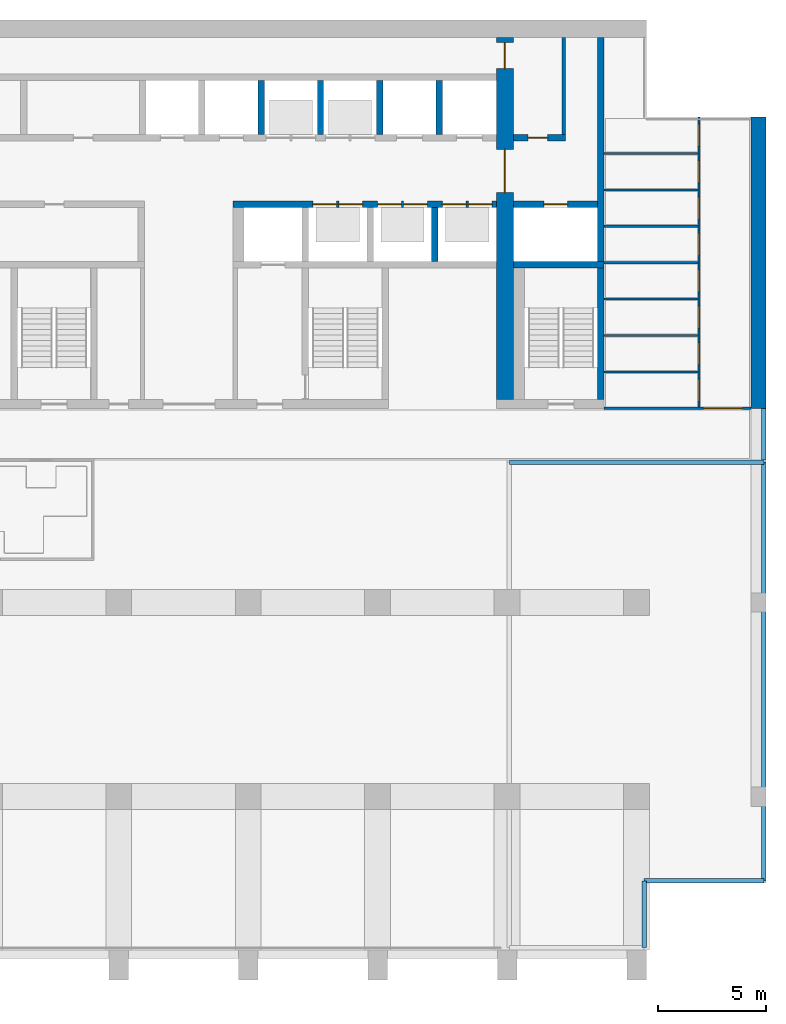
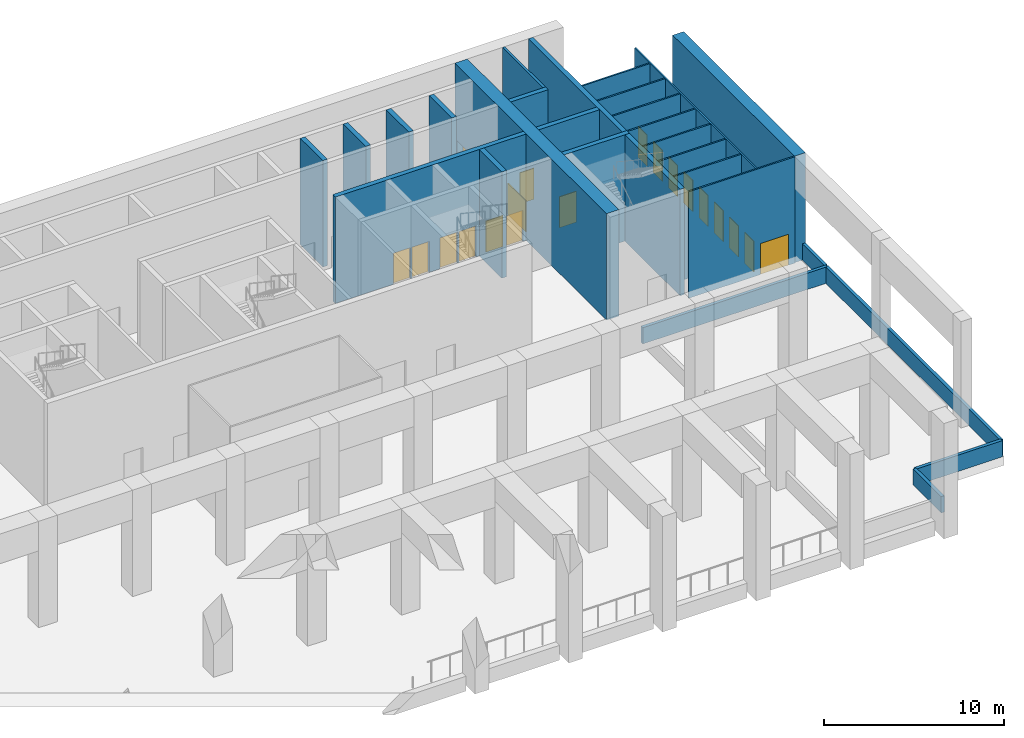
# One storey, part 5 of 10: 28 walls, 19 doors, 19 openings.
"""IFC4 building model written with IfcOpenShell, lengths in metres."""

from ifc_helpers import new_model, si_unit, direction, frame, frame_2d, origin, place, context, subcontext, project, spatial, rectangle, extrude, material, layer, layer_set, type_object, element, fill, save


model = new_model("IFC4")

# Units and contexts
model_context = context("Model", 3, precision=1e-05, world=origin(), true_north=direction((0.0, 1.0)))
body_context = subcontext(model_context, "Body", "Model", "MODEL_VIEW")
ifc_project = project(units=[si_unit("LENGTHUNIT", "METRE"), si_unit("AREAUNIT", "SQUARE_METRE"), si_unit("VOLUMEUNIT", "CUBIC_METRE"), si_unit("PLANEANGLEUNIT", "RADIAN"), si_unit("MASSUNIT", "GRAM", prefix="KILO")], contexts=[model_context])

# Site, building, storey
site_placement = place(None, origin())
site = spatial("IfcSite", under=ifc_project, at=site_placement, CompositionType="ELEMENT")
building_placement = place(site_placement, origin())
building = spatial("IfcBuilding", under=site, at=building_placement, Name="Calvaro Tower", CompositionType="ELEMENT")
storey_placement = place(building_placement, frame((0.0, 0.0, 158.75)))
storey = spatial("IfcBuildingStorey", under=building, at=storey_placement, Name="L40", CompositionType="ELEMENT", Elevation=158.75)

# Wall
ifc_material_1 = material(Name="Blockwork partition", Category="masonry")
ifc_layer_1 = layer(ifc_material_1, 0.14990234375)
ifc_layer_set_1 = layer_set([ifc_layer_1], Name="Blockwork partition")
wall_type_1 = type_object("IfcWallType", Name="Core partition 150 REI 120", PredefinedType="PARTITIONING", material=ifc_layer_set_1)
wall_1_placement = place(storey_placement, frame((62.625, 40.699951171875, 0.0), z_axis=(0.0, 0.0, 1.0), x_axis=(0.0, 1.0, 0.0)))
element("IfcWall", 1, at=wall_1_placement, inside=storey, type_object=wall_type_1, Name="Core partition", PredefinedType="PARTITIONING", context=body_context, shape_type="SweptSolid", body=[
    extrude(rectangle(XDim=4.5, YDim=0.14990234375, at=frame_2d((2.25, 0.0))), origin(), (0.0, 0.0, 1.0), 7.199951171875),
])

# Wall, opening, door
ifc_material_2 = material(Name="Blockwork partition", Category="masonry")
ifc_layer_2 = layer(ifc_material_2, 0.300048828125)
ifc_layer_set_2 = layer_set([ifc_layer_2], Name="Blockwork partition")
wall_type_2 = type_object("IfcWallType", Name="Core partition 300 REI 120", PredefinedType="PARTITIONING", material=ifc_layer_set_2)
wall_2_placement = place(storey_placement, frame((60.300048828125, 40.550048828125, 0.0), z_axis=(0.0, 0.0, 1.0), x_axis=(1.0, 0.0, 0.0)))
wall_2 = element("IfcWall", 2, at=wall_2_placement, inside=storey, type_object=wall_type_2, Name="Core partition", PredefinedType="PARTITIONING", context=body_context, shape_type="SweptSolid", body=[
    extrude(rectangle(XDim=2.39990234375, YDim=0.300048828125, at=frame_2d((1.199951171875, 0.0))), origin(), (0.0, 0.0, 1.0), 7.199951171875),
])
opening_1_placement = place(wall_2_placement, frame((0.675048828125, 0.0, 0.0)))
opening_1 = element("IfcOpeningElement", 3, at=opening_1_placement, cuts=wall_2, Name="Opening RD9E", PredefinedType="OPENING", context=body_context, shape_type="SweptSolid", body=[
    extrude(rectangle(XDim=0.89990234375, YDim=2.10009765625, at=frame_2d((0.449951171875, 1.050048828125))), frame((0.0, 0.159912109375, 0.0), z_axis=(0.0, -1.0, 0.0), x_axis=(1.0, 0.0, 0.0)), (0.0, 0.0, 1.0), 0.320068359375),
])
ifc_material_3 = material(Name="Steel door set", Category="steel")
door_type_1 = type_object("IfcDoorType", Name="Room door 900 FD60", OperationType="SINGLE_SWING_LEFT", PredefinedType="DOOR", material=ifc_material_3)
door_1_placement = place(opening_1_placement, origin())
door_1 = element("IfcDoor", 4, at=door_1_placement, inside=storey, type_object=door_type_1, Name="Room door", OperationType="SINGLE_SWING_LEFT", OverallHeight=2.10009765625, OverallWidth=0.89990234375, PredefinedType="DOOR", context=body_context, shape_type="SweptSolid", body=[
    extrude(rectangle(XDim=0.89990234375, YDim=2.10009765625, at=frame_2d((0.449951171875, 1.050048828125))), frame((0.0, 0.02490234375, 0.0), z_axis=(0.0, -1.0, 0.0), x_axis=(1.0, 0.0, 0.0)), (0.0, 0.0, 1.0), 0.050048828125),
])
fill(opening_1, door_1)

# Walls
ifc_material_4 = material(Name="Concrete C60/75", Category="concrete")
ifc_layer_3 = layer(ifc_material_4, 0.300048828125)
ifc_layer_set_3 = layer_set([ifc_layer_3], Name="Concrete C60/75")
wall_type_3 = type_object("IfcWallType", Name="Core wall C60/75 300", PredefinedType="SHEAR", material=ifc_layer_set_3)
wall_3_placement = place(storey_placement, frame((64.35009765625, 34.800048828125, 0.0), z_axis=(0.0, 0.0, 1.0), x_axis=(0.0, 1.0, 0.0)))
element("IfcWall", 5, at=wall_3_placement, inside=storey, type_object=wall_type_3, Name="Core wall, boundary", PredefinedType="SHEAR", context=body_context, shape_type="SweptSolid", body=[
    extrude(rectangle(XDim=10.39990234375, YDim=0.300048828125, at=frame_2d((5.199951171875, 0.0))), origin(), (0.0, 0.0, 1.0), 7.199951171875),
])
wall_4_placement = place(storey_placement, frame((64.35009765625, 28.39990234375, 0.0), z_axis=(0.0, 0.0, 1.0), x_axis=(0.0, 1.0, 0.0)))
element("IfcWall", 6, at=wall_4_placement, inside=storey, type_object=wall_type_3, Name="Core wall, stair enclosure", PredefinedType="SHEAR", context=body_context, shape_type="SweptSolid", body=[
    extrude(rectangle(XDim=6.10009765625, YDim=0.300048828125, at=frame_2d((3.050048828125, 0.0))), origin(), (0.0, 0.0, 1.0), 7.199951171875),
])
wall_5_placement = place(storey_placement, frame((60.300048828125, 34.64990234375, 0.0), z_axis=(0.0, 0.0, 1.0), x_axis=(1.0, 0.0, 0.0)))
element("IfcWall", 7, at=wall_5_placement, inside=storey, type_object=wall_type_3, Name="Core wall, lift shaft", PredefinedType="SHEAR", context=body_context, shape_type="SweptSolid", body=[
    extrude(rectangle(XDim=4.199951171875, YDim=0.300048828125, at=frame_2d((2.10009765625, 0.0))), origin(), (0.0, 0.0, 1.0), 7.199951171875),
])

# Wall, openings, doors
wall_6_placement = place(storey_placement, frame((47.300048828125, 37.449951171875, 0.0), z_axis=(0.0, 0.0, 1.0), x_axis=(1.0, 0.0, 0.0)))
wall_6 = element("IfcWall", 8, at=wall_6_placement, inside=storey, type_object=wall_type_3, Name="Core wall, lift shaft", PredefinedType="SHEAR", context=body_context, shape_type="SweptSolid", body=[
    extrude(rectangle(XDim=12.199951171875, YDim=0.300048828125, at=frame_2d((6.10009765625, 0.0))), origin(), (0.0, 0.0, 1.0), 7.199951171875),
])
opening_2_placement = place(wall_6_placement, frame((3.699951171875, 0.0, 0.0)))
opening_2 = element("IfcOpeningElement", 9, at=opening_2_placement, cuts=wall_6, Name="Opening MR1", PredefinedType="OPENING", context=body_context, shape_type="SweptSolid", body=[
    extrude(rectangle(XDim=1.10009765625, YDim=2.10009765625, at=frame_2d((0.550048828125, 1.050048828125))), frame((0.0, 0.159912109375, 0.0), z_axis=(0.0, -1.0, 0.0), x_axis=(1.0, 0.0, 0.0)), (0.0, 0.0, 1.0), 0.320068359375),
])
opening_3_placement = place(wall_6_placement, frame((4.89990234375, 0.0, 0.0)))
opening_3 = element("IfcOpeningElement", 10, at=opening_3_placement, cuts=wall_6, Name="Opening HR1", PredefinedType="OPENING", context=body_context, shape_type="SweptSolid", body=[
    extrude(rectangle(XDim=1.10009765625, YDim=2.10009765625, at=frame_2d((0.550048828125, 1.050048828125))), frame((0.0, 0.159912109375, 0.0), z_axis=(0.0, -1.0, 0.0), x_axis=(1.0, 0.0, 0.0)), (0.0, 0.0, 1.0), 0.320068359375),
])
opening_4_placement = place(wall_6_placement, frame((6.699951171875, 0.0, 0.0)))
opening_4 = element("IfcOpeningElement", 11, at=opening_4_placement, cuts=wall_6, Name="Opening MR2", PredefinedType="OPENING", context=body_context, shape_type="SweptSolid", body=[
    extrude(rectangle(XDim=1.10009765625, YDim=2.10009765625, at=frame_2d((0.550048828125, 1.050048828125))), frame((0.0, 0.159912109375, 0.0), z_axis=(0.0, -1.0, 0.0), x_axis=(1.0, 0.0, 0.0)), (0.0, 0.0, 1.0), 0.320068359375),
])
opening_5_placement = place(wall_6_placement, frame((7.89990234375, 0.0, 0.0)))
opening_5 = element("IfcOpeningElement", 12, at=opening_5_placement, cuts=wall_6, Name="Opening HR2", PredefinedType="OPENING", context=body_context, shape_type="SweptSolid", body=[
    extrude(rectangle(XDim=1.10009765625, YDim=2.10009765625, at=frame_2d((0.550048828125, 1.050048828125))), frame((0.0, 0.159912109375, 0.0), z_axis=(0.0, -1.0, 0.0), x_axis=(1.0, 0.0, 0.0)), (0.0, 0.0, 1.0), 0.320068359375),
])
opening_6_placement = place(wall_6_placement, frame((9.699951171875, 0.0, 0.0)))
opening_6 = element("IfcOpeningElement", 13, at=opening_6_placement, cuts=wall_6, Name="Opening MR3", PredefinedType="OPENING", context=body_context, shape_type="SweptSolid", body=[
    extrude(rectangle(XDim=1.10009765625, YDim=2.10009765625, at=frame_2d((0.550048828125, 1.050048828125))), frame((0.0, 0.159912109375, 0.0), z_axis=(0.0, -1.0, 0.0), x_axis=(1.0, 0.0, 0.0)), (0.0, 0.0, 1.0), 0.320068359375),
])
opening_7_placement = place(wall_6_placement, frame((10.89990234375, 0.0, 0.0)))
opening_7 = element("IfcOpeningElement", 14, at=opening_7_placement, cuts=wall_6, Name="Opening HR3", PredefinedType="OPENING", context=body_context, shape_type="SweptSolid", body=[
    extrude(rectangle(XDim=1.10009765625, YDim=2.10009765625, at=frame_2d((0.550048828125, 1.050048828125))), frame((0.0, 0.159912109375, 0.0), z_axis=(0.0, -1.0, 0.0), x_axis=(1.0, 0.0, 0.0)), (0.0, 0.0, 1.0), 0.320068359375),
])
ifc_material_5 = material(Name="Stainless steel", Category="steel")
door_type_2 = type_object("IfcDoorType", Name="Landing door 1100 E 60", OperationType="SLIDING_TO_LEFT", PredefinedType="DOOR", material=ifc_material_5)
door_2_placement = place(opening_2_placement, origin())
door_2 = element("IfcDoor", 15, at=door_2_placement, inside=storey, type_object=door_type_2, Name="Landing door MR1", OperationType="SLIDING_TO_LEFT", OverallHeight=2.10009765625, OverallWidth=1.10009765625, PredefinedType="DOOR", context=body_context, shape_type="SweptSolid", body=[
    extrude(rectangle(XDim=1.10009765625, YDim=2.10009765625, at=frame_2d((0.550048828125, 1.050048828125))), frame((0.0, 0.02490234375, 0.0), z_axis=(0.0, -1.0, 0.0), x_axis=(1.0, 0.0, 0.0)), (0.0, 0.0, 1.0), 0.050048828125),
])
fill(opening_2, door_2)
door_3_placement = place(opening_3_placement, origin())
door_3 = element("IfcDoor", 16, at=door_3_placement, inside=storey, type_object=door_type_2, Name="Landing door HR1", OperationType="SLIDING_TO_LEFT", OverallHeight=2.10009765625, OverallWidth=1.10009765625, PredefinedType="DOOR", context=body_context, shape_type="SweptSolid", body=[
    extrude(rectangle(XDim=1.10009765625, YDim=2.10009765625, at=frame_2d((0.550048828125, 1.050048828125))), frame((0.0, 0.02490234375, 0.0), z_axis=(0.0, -1.0, 0.0), x_axis=(1.0, 0.0, 0.0)), (0.0, 0.0, 1.0), 0.050048828125),
])
fill(opening_3, door_3)
door_4_placement = place(opening_4_placement, origin())
door_4 = element("IfcDoor", 17, at=door_4_placement, inside=storey, type_object=door_type_2, Name="Landing door MR2", OperationType="SLIDING_TO_LEFT", OverallHeight=2.10009765625, OverallWidth=1.10009765625, PredefinedType="DOOR", context=body_context, shape_type="SweptSolid", body=[
    extrude(rectangle(XDim=1.10009765625, YDim=2.10009765625, at=frame_2d((0.550048828125, 1.050048828125))), frame((0.0, 0.02490234375, 0.0), z_axis=(0.0, -1.0, 0.0), x_axis=(1.0, 0.0, 0.0)), (0.0, 0.0, 1.0), 0.050048828125),
])
fill(opening_4, door_4)
door_5_placement = place(opening_5_placement, origin())
door_5 = element("IfcDoor", 18, at=door_5_placement, inside=storey, type_object=door_type_2, Name="Landing door HR2", OperationType="SLIDING_TO_LEFT", OverallHeight=2.10009765625, OverallWidth=1.10009765625, PredefinedType="DOOR", context=body_context, shape_type="SweptSolid", body=[
    extrude(rectangle(XDim=1.10009765625, YDim=2.10009765625, at=frame_2d((0.550048828125, 1.050048828125))), frame((0.0, 0.02490234375, 0.0), z_axis=(0.0, -1.0, 0.0), x_axis=(1.0, 0.0, 0.0)), (0.0, 0.0, 1.0), 0.050048828125),
])
fill(opening_5, door_5)
door_6_placement = place(opening_6_placement, origin())
door_6 = element("IfcDoor", 19, at=door_6_placement, inside=storey, type_object=door_type_2, Name="Landing door MR3", OperationType="SLIDING_TO_LEFT", OverallHeight=2.10009765625, OverallWidth=1.10009765625, PredefinedType="DOOR", context=body_context, shape_type="SweptSolid", body=[
    extrude(rectangle(XDim=1.10009765625, YDim=2.10009765625, at=frame_2d((0.550048828125, 1.050048828125))), frame((0.0, 0.02490234375, 0.0), z_axis=(0.0, -1.0, 0.0), x_axis=(1.0, 0.0, 0.0)), (0.0, 0.0, 1.0), 0.050048828125),
])
fill(opening_6, door_6)
door_7_placement = place(opening_7_placement, origin())
door_7 = element("IfcDoor", 20, at=door_7_placement, inside=storey, type_object=door_type_2, Name="Landing door HR3", OperationType="SLIDING_TO_LEFT", OverallHeight=2.10009765625, OverallWidth=1.10009765625, PredefinedType="DOOR", context=body_context, shape_type="SweptSolid", body=[
    extrude(rectangle(XDim=1.10009765625, YDim=2.10009765625, at=frame_2d((0.550048828125, 1.050048828125))), frame((0.0, 0.02490234375, 0.0), z_axis=(0.0, -1.0, 0.0), x_axis=(1.0, 0.0, 0.0)), (0.0, 0.0, 1.0), 0.050048828125),
])
fill(opening_7, door_7)

# Wall, opening, door
wall_7_placement = place(storey_placement, frame((60.300048828125, 37.449951171875, 0.0), z_axis=(0.0, 0.0, 1.0), x_axis=(1.0, 0.0, 0.0)))
wall_7 = element("IfcWall", 21, at=wall_7_placement, inside=storey, type_object=wall_type_3, Name="Core wall, lift shaft", PredefinedType="SHEAR", context=body_context, shape_type="SweptSolid", body=[
    extrude(rectangle(XDim=3.89990234375, YDim=0.300048828125, at=frame_2d((1.949951171875, 0.0))), origin(), (0.0, 0.0, 1.0), 7.199951171875),
])
opening_8_placement = place(wall_7_placement, frame((1.39990234375, 0.0, 0.0)))
opening_8 = element("IfcOpeningElement", 22, at=opening_8_placement, cuts=wall_7, Name="Opening FF3", PredefinedType="OPENING", context=body_context, shape_type="SweptSolid", body=[
    extrude(rectangle(XDim=1.10009765625, YDim=2.10009765625, at=frame_2d((0.550048828125, 1.050048828125))), frame((0.0, 0.159912109375, 0.0), z_axis=(0.0, -1.0, 0.0), x_axis=(1.0, 0.0, 0.0)), (0.0, 0.0, 1.0), 0.320068359375),
])
door_8_placement = place(opening_8_placement, origin())
door_8 = element("IfcDoor", 23, at=door_8_placement, inside=storey, type_object=door_type_2, Name="Landing door FF3", OperationType="SLIDING_TO_LEFT", OverallHeight=2.10009765625, OverallWidth=1.10009765625, PredefinedType="DOOR", context=body_context, shape_type="SweptSolid", body=[
    extrude(rectangle(XDim=1.10009765625, YDim=2.10009765625, at=frame_2d((0.550048828125, 1.050048828125))), frame((0.0, 0.02490234375, 0.0), z_axis=(0.0, -1.0, 0.0), x_axis=(1.0, 0.0, 0.0)), (0.0, 0.0, 1.0), 0.050048828125),
])
fill(opening_8, door_8)

# Walls
for number, where, z_axis, x_axis, name in (
    (24, (56.64990234375, 34.800048828125, 0.0), (0.0, 0.0, 1.0), (0.0, 1.0, 0.0), "Core wall, lift shaft"),
    (25, (48.60009765625, 40.699951171875, 0.0), (0.0, 0.0, 1.0), (0.0, 1.0, 0.0), "Core wall, lift shaft"),
    (26, (51.35009765625, 40.699951171875, 0.0), (0.0, 0.0, 1.0), (0.0, 1.0, 0.0), "Core wall, lift shaft"),
    (27, (54.10009765625, 40.699951171875, 0.0), (0.0, 0.0, 1.0), (0.0, 1.0, 0.0), "Core wall, lift shaft"),
    (28, (56.85009765625, 40.699951171875, 0.0), (0.0, 0.0, 1.0), (0.0, 1.0, 0.0), "Core wall, lift shaft"),
):
    element("IfcWall", number, at=place(storey_placement, frame(where, z_axis=z_axis, x_axis=x_axis)), inside=storey, type_object=wall_type_3, Name=name, PredefinedType="SHEAR", context=body_context, shape_type="SweptSolid", body=[
        extrude(rectangle(XDim=2.5, YDim=0.300048828125, at=frame_2d((1.25, 0.0))), origin(), (0.0, 0.0, 1.0), 7.199951171875),
    ])

# Wall, openings, doors
ifc_material_6 = material(Name="Concrete C60/75", Category="concrete")
ifc_layer_4 = layer(ifc_material_6, 0.800048828125)
ifc_layer_set_4 = layer_set([ifc_layer_4], Name="Concrete C60/75")
wall_type_4 = type_object("IfcWallType", Name="Core wall C60/75 800", PredefinedType="SHEAR", material=ifc_layer_set_4)
wall_8_placement = place(storey_placement, frame((59.89990234375, 28.39990234375, 0.0), z_axis=(0.0, 0.0, 1.0), x_axis=(0.0, 1.0, 0.0)))
wall_8 = element("IfcWall", 29, at=wall_8_placement, inside=storey, type_object=wall_type_4, Name="Core wall, cross shear wall", PredefinedType="SHEAR", context=body_context, shape_type="SweptSolid", body=[
    extrude(rectangle(XDim=16.800048828125, YDim=0.800048828125, at=frame_2d((8.39990234375, 0.0))), origin(), (0.0, 0.0, 1.0), 7.199951171875),
])
opening_9_placement = place(wall_8_placement, frame((9.60009765625, 0.0, 0.0)))
opening_9 = element("IfcOpeningElement", 30, at=opening_9_placement, cuts=wall_8, Name="Opening DD20D", PredefinedType="OPENING", context=body_context, shape_type="SweptSolid", body=[
    extrude(rectangle(XDim=2.0, YDim=2.10009765625, at=frame_2d((1.0, 1.050048828125))), frame((0.0, 0.409912109375, 0.0), z_axis=(0.0, -1.0, 0.0), x_axis=(1.0, 0.0, 0.0)), (0.0, 0.0, 1.0), 0.820068359375),
])
opening_10_placement = place(wall_8_placement, frame((15.35009765625, 0.0, 0.0)))
opening_10 = element("IfcOpeningElement", 31, at=opening_10_placement, cuts=wall_8, Name="Opening FD12C", PredefinedType="OPENING", context=body_context, shape_type="SweptSolid", body=[
    extrude(rectangle(XDim=1.199951171875, YDim=2.10009765625, at=frame_2d((0.60009765625, 1.050048828125))), frame((0.0, 0.409912109375, 0.0), z_axis=(0.0, -1.0, 0.0), x_axis=(1.0, 0.0, 0.0)), (0.0, 0.0, 1.0), 0.820068359375),
])
ifc_material_7 = material(Name="Steel door set", Category="steel")
door_type_3 = type_object("IfcDoorType", Name="Fire door 1200 FD30", OperationType="SINGLE_SWING_LEFT", PredefinedType="DOOR", material=ifc_material_7)
door_9_placement = place(opening_10_placement, origin())
door_9 = element("IfcDoor", 32, at=door_9_placement, inside=storey, type_object=door_type_3, Name="Fire door", OperationType="SINGLE_SWING_LEFT", OverallHeight=2.10009765625, OverallWidth=1.199951171875, PredefinedType="DOOR", context=body_context, shape_type="SweptSolid", body=[
    extrude(rectangle(XDim=1.199951171875, YDim=2.10009765625, at=frame_2d((0.60009765625, 1.050048828125))), frame((0.0, 0.02490234375, 0.0), z_axis=(0.0, -1.0, 0.0), x_axis=(1.0, 0.0, 0.0)), (0.0, 0.0, 1.0), 0.050048828125),
])
fill(opening_10, door_9)
ifc_material_8 = material(Name="Steel door set", Category="steel")
door_type_4 = type_object("IfcDoorType", Name="Lobby double door 2000 FD30S", OperationType="DOUBLE_DOOR_SINGLE_SWING", PredefinedType="DOOR", material=ifc_material_8)
door_10_placement = place(opening_9_placement, origin())
door_10 = element("IfcDoor", 33, at=door_10_placement, inside=storey, type_object=door_type_4, Name="Lobby double door", OperationType="DOUBLE_DOOR_SINGLE_SWING", OverallHeight=2.10009765625, OverallWidth=2.0, PredefinedType="DOOR", context=body_context, shape_type="SweptSolid", body=[
    extrude(rectangle(XDim=2.0, YDim=2.10009765625, at=frame_2d((1.0, 1.050048828125))), frame((0.0, 0.02490234375, 0.0), z_axis=(0.0, -1.0, 0.0), x_axis=(1.0, 0.0, 0.0)), (0.0, 0.0, 1.0), 0.050048828125),
])
fill(opening_9, door_10)

# Walls
ifc_material_9 = material(Name="Concrete C60/75", Category="concrete")
ifc_layer_5 = layer(ifc_material_9, 0.699951171875)
ifc_layer_set_5 = layer_set([ifc_layer_5], Name="Concrete C60/75")
wall_type_5 = type_object("IfcWallType", Name="End wall 700 C60/75", PredefinedType="SHEAR", material=ifc_layer_set_5)
wall_9_placement = place(storey_placement, frame((71.64990234375, 28.0, 0.0), z_axis=(0.0, 0.0, 1.0), x_axis=(0.0, 1.0, 0.0)))
element("IfcWall", 34, at=wall_9_placement, inside=storey, type_object=wall_type_5, Name="End shear wall", PredefinedType="SHEAR", context=body_context, shape_type="SweptSolid", body=[
    extrude(rectangle(XDim=13.5, YDim=0.699951171875, at=frame_2d((6.75, 0.0))), origin(), (0.0, 0.0, 1.0), 7.199951171875),
])
ifc_material_10 = material(Name="Plasterboard on steel studs", Category="steel")
ifc_layer_6 = layer(ifc_material_10, 0.199951171875)
ifc_layer_set_6 = layer_set([ifc_layer_6], Name="Plasterboard on steel studs")
wall_type_6 = type_object("IfcWallType", Name="External partition 200", PredefinedType="PARTITIONING", material=ifc_layer_set_6)
wall_10_placement = place(storey_placement, frame((71.89990234375, 25.5, 0.0), z_axis=(0.0, 0.0, 1.0), x_axis=(0.0, -1.0, 0.0)))
element("IfcWall", 35, at=wall_10_placement, inside=storey, type_object=wall_type_6, Name="Roof parapet 07", PredefinedType="PARTITIONING", context=body_context, shape_type="SweptSolid", body=[
    extrude(rectangle(XDim=19.39990234375, YDim=0.199951171875, at=frame_2d((9.699951171875, 0.0))), origin(), (0.0, 0.0, 1.0), 1.10009765625),
])
wall_11_placement = place(storey_placement, frame((71.89990234375, 6.10009765625, 0.0), z_axis=(0.0, 0.0, 1.0), x_axis=(-1.0, 0.0, 0.0)))
element("IfcWall", 36, at=wall_11_placement, inside=storey, type_object=wall_type_6, Name="Roof parapet 08", PredefinedType="PARTITIONING", context=body_context, shape_type="SweptSolid", body=[
    extrude(rectangle(XDim=5.5498046875, YDim=0.199951171875, at=frame_2d((2.77490234375, 0.0))), origin(), (0.0, 0.0, 1.0), 1.10009765625),
])
wall_12_placement = place(storey_placement, frame((66.35009765625, 6.10009765625, 0.0), z_axis=(0.0, 0.0, 1.0), x_axis=(0.0, -1.0, 0.0)))
element("IfcWall", 37, at=wall_12_placement, inside=storey, type_object=wall_type_6, Name="Roof parapet 09", PredefinedType="PARTITIONING", context=body_context, shape_type="SweptSolid", body=[
    extrude(rectangle(XDim=3.10009765625, YDim=0.199951171875, at=frame_2d((1.550048828125, 0.0))), origin(), (0.0, 0.0, 1.0), 1.10009765625),
])
wall_13_placement = place(storey_placement, frame((60.10009765625, 25.5, 0.0), z_axis=(0.0, 0.0, 1.0), x_axis=(1.0, 0.0, 0.0)))
element("IfcWall", 38, at=wall_13_placement, inside=storey, type_object=wall_type_6, Name="Roof parapet 12", PredefinedType="PARTITIONING", context=body_context, shape_type="SweptSolid", body=[
    extrude(rectangle(XDim=11.7998046875, YDim=0.199951171875, at=frame_2d((5.89990234375, 0.0))), origin(), (0.0, 0.0, 1.0), 1.10009765625),
])
wall_14_placement = place(storey_placement, frame((71.89990234375, 25.60009765625, 0.0), z_axis=(0.0, 0.0, 1.0), x_axis=(0.0, 1.0, 0.0)))
element("IfcWall", 39, at=wall_14_placement, inside=storey, type_object=wall_type_6, Name="Roof parapet 14", PredefinedType="PARTITIONING", context=body_context, shape_type="SweptSolid", body=[
    extrude(rectangle(XDim=2.39990234375, YDim=0.199951171875, at=frame_2d((1.199951171875, 0.0))), origin(), (0.0, 0.0, 1.0), 1.10009765625),
])

# Wall, opening, door
ifc_material_11 = material(Name="Plasterboard on steel studs", Category="steel")
ifc_layer_7 = layer(ifc_material_11, 0.10009765625)
ifc_layer_set_7 = layer_set([ifc_layer_7], Name="Plasterboard on steel studs")
wall_type_7 = type_object("IfcWallType", Name="Partition 100 REI 120", PredefinedType="PARTITIONING", material=ifc_layer_set_7)
wall_15_placement = place(storey_placement, frame((64.5, 28.0, 0.0), z_axis=(0.0, 0.0, 1.0), x_axis=(1.0, 0.0, 0.0)))
wall_15 = element("IfcWall", 40, at=wall_15_placement, inside=storey, type_object=wall_type_7, Name="Partition T24.W004", PredefinedType="PARTITIONING", context=body_context, shape_type="SweptSolid", body=[
    extrude(rectangle(XDim=6.800048828125, YDim=0.10009765625, at=frame_2d((3.39990234375, 0.0))), origin(), (0.0, 0.0, 1.0), 7.199951171875),
])
opening_11_placement = place(wall_15_placement, frame((4.60009765625, 0.0, 0.0)))
opening_11 = element("IfcOpeningElement", 41, at=opening_11_placement, cuts=wall_15, Name="Opening T24.002", PredefinedType="OPENING", context=body_context, shape_type="SweptSolid", body=[
    extrude(rectangle(XDim=1.800048828125, YDim=2.10009765625, at=frame_2d((0.89990234375, 1.050048828125))), frame((0.0, 0.06005859375, 0.0), z_axis=(0.0, -1.0, 0.0), x_axis=(1.0, 0.0, 0.0)), (0.0, 0.0, 1.0), 0.1201171875),
])
ifc_material_12 = material(Name="Timber", Category="wood")
door_type_5 = type_object("IfcDoorType", Name="Internal double door 1800 x 2100", OperationType="DOUBLE_DOOR_SINGLE_SWING", PredefinedType="DOOR", material=ifc_material_12)
door_11_placement = place(opening_11_placement, origin())
door_11 = element("IfcDoor", 42, at=door_11_placement, inside=storey, type_object=door_type_5, Name="Door T24.002", OperationType="DOUBLE_DOOR_SINGLE_SWING", OverallHeight=2.10009765625, OverallWidth=1.800048828125, PredefinedType="DOOR", context=body_context, shape_type="SweptSolid", body=[
    extrude(rectangle(XDim=1.800048828125, YDim=2.10009765625, at=frame_2d((0.89990234375, 1.050048828125))), frame((0.0, 0.02490234375, 0.0), z_axis=(0.0, -1.0, 0.0), x_axis=(1.0, 0.0, 0.0)), (0.0, 0.0, 1.0), 0.050048828125),
])
fill(opening_11, door_11)

# Walls
for number, where, z_axis, x_axis, name in (
    (43, (64.5, 29.68994140625, 0.0), (0.0, 0.0, 1.0), (1.0, 0.0, 0.0), "Partition T24.W005"),
    (44, (64.5, 31.3798828125, 0.0), (0.0, 0.0, 1.0), (1.0, 0.0, 0.0), "Partition T24.W007"),
    (45, (64.5, 33.06005859375, 0.0), (0.0, 0.0, 1.0), (1.0, 0.0, 0.0), "Partition T24.W008"),
    (46, (64.5, 34.75, 0.0), (0.0, 0.0, 1.0), (1.0, 0.0, 0.0), "Partition T24.W010"),
    (47, (64.5, 36.43994140625, 0.0), (0.0, 0.0, 1.0), (1.0, 0.0, 0.0), "Partition T24.W011"),
    (48, (64.5, 38.1201171875, 0.0), (0.0, 0.0, 1.0), (1.0, 0.0, 0.0), "Partition T24.W013"),
    (49, (64.5, 39.81005859375, 0.0), (0.0, 0.0, 1.0), (1.0, 0.0, 0.0), "Partition T24.W014"),
):
    element("IfcWall", number, at=place(storey_placement, frame(where, z_axis=z_axis, x_axis=x_axis)), inside=storey, type_object=wall_type_7, Name=name, PredefinedType="PARTITIONING", context=body_context, shape_type="SweptSolid", body=[
        extrude(rectangle(XDim=4.35009765625, YDim=0.10009765625, at=frame_2d((2.175048828125, 0.0))), origin(), (0.0, 0.0, 1.0), 7.199951171875),
    ])

# Wall, openings, doors
wall_16_placement = place(storey_placement, frame((68.89990234375, 28.050048828125, 0.0), z_axis=(0.0, 0.0, 1.0), x_axis=(0.0, 1.0, 0.0)))
wall_16 = element("IfcWall", 50, at=wall_16_placement, inside=storey, type_object=wall_type_7, Name="Partition T24.W018", PredefinedType="PARTITIONING", context=body_context, shape_type="SweptSolid", body=[
    extrude(rectangle(XDim=13.449951171875, YDim=0.10009765625, at=frame_2d((6.72509765625, 0.0))), origin(), (0.0, 0.0, 1.0), 7.199951171875),
])
opening_12_placement = place(wall_16_placement, frame((0.294921875, 0.0, 0.0)))
opening_12 = element("IfcOpeningElement", 51, at=opening_12_placement, cuts=wall_16, Name="Opening T24.006", PredefinedType="OPENING", context=body_context, shape_type="SweptSolid", body=[
    extrude(rectangle(XDim=1.0, YDim=2.10009765625, at=frame_2d((0.5, 1.050048828125))), frame((0.0, 0.06005859375, 0.0), z_axis=(0.0, -1.0, 0.0), x_axis=(1.0, 0.0, 0.0)), (0.0, 0.0, 1.0), 0.1201171875),
])
opening_13_placement = place(wall_16_placement, frame((1.985107421875, 0.0, 0.0)))
opening_13 = element("IfcOpeningElement", 52, at=opening_13_placement, cuts=wall_16, Name="Opening T24.008", PredefinedType="OPENING", context=body_context, shape_type="SweptSolid", body=[
    extrude(rectangle(XDim=1.0, YDim=2.10009765625, at=frame_2d((0.5, 1.050048828125))), frame((0.0, 0.06005859375, 0.0), z_axis=(0.0, -1.0, 0.0), x_axis=(1.0, 0.0, 0.0)), (0.0, 0.0, 1.0), 0.1201171875),
])
opening_14_placement = place(wall_16_placement, frame((3.669921875, 0.0, 0.0)))
opening_14 = element("IfcOpeningElement", 53, at=opening_14_placement, cuts=wall_16, Name="Opening T24.009", PredefinedType="OPENING", context=body_context, shape_type="SweptSolid", body=[
    extrude(rectangle(XDim=1.0, YDim=2.10009765625, at=frame_2d((0.5, 1.050048828125))), frame((0.0, 0.06005859375, 0.0), z_axis=(0.0, -1.0, 0.0), x_axis=(1.0, 0.0, 0.0)), (0.0, 0.0, 1.0), 0.1201171875),
])
opening_15_placement = place(wall_16_placement, frame((5.35498046875, 0.0, 0.0)))
opening_15 = element("IfcOpeningElement", 54, at=opening_15_placement, cuts=wall_16, Name="Opening T24.011", PredefinedType="OPENING", context=body_context, shape_type="SweptSolid", body=[
    extrude(rectangle(XDim=1.0, YDim=2.10009765625, at=frame_2d((0.5, 1.050048828125))), frame((0.0, 0.06005859375, 0.0), z_axis=(0.0, -1.0, 0.0), x_axis=(1.0, 0.0, 0.0)), (0.0, 0.0, 1.0), 0.1201171875),
])
opening_16_placement = place(wall_16_placement, frame((7.044921875, 0.0, 0.0)))
opening_16 = element("IfcOpeningElement", 55, at=opening_16_placement, cuts=wall_16, Name="Opening T24.012", PredefinedType="OPENING", context=body_context, shape_type="SweptSolid", body=[
    extrude(rectangle(XDim=1.0, YDim=2.10009765625, at=frame_2d((0.5, 1.050048828125))), frame((0.0, 0.06005859375, 0.0), z_axis=(0.0, -1.0, 0.0), x_axis=(1.0, 0.0, 0.0)), (0.0, 0.0, 1.0), 0.1201171875),
])
opening_17_placement = place(wall_16_placement, frame((8.72998046875, 0.0, 0.0)))
opening_17 = element("IfcOpeningElement", 56, at=opening_17_placement, cuts=wall_16, Name="Opening T24.014", PredefinedType="OPENING", context=body_context, shape_type="SweptSolid", body=[
    extrude(rectangle(XDim=1.0, YDim=2.10009765625, at=frame_2d((0.5, 1.050048828125))), frame((0.0, 0.06005859375, 0.0), z_axis=(0.0, -1.0, 0.0), x_axis=(1.0, 0.0, 0.0)), (0.0, 0.0, 1.0), 0.1201171875),
])
opening_18_placement = place(wall_16_placement, frame((10.4150390625, 0.0, 0.0)))
opening_18 = element("IfcOpeningElement", 57, at=opening_18_placement, cuts=wall_16, Name="Opening T24.015", PredefinedType="OPENING", context=body_context, shape_type="SweptSolid", body=[
    extrude(rectangle(XDim=1.0, YDim=2.10009765625, at=frame_2d((0.5, 1.050048828125))), frame((0.0, 0.06005859375, 0.0), z_axis=(0.0, -1.0, 0.0), x_axis=(1.0, 0.0, 0.0)), (0.0, 0.0, 1.0), 0.1201171875),
])
opening_19_placement = place(wall_16_placement, frame((12.10498046875, 0.0, 0.0)))
opening_19 = element("IfcOpeningElement", 58, at=opening_19_placement, cuts=wall_16, Name="Opening T24.017", PredefinedType="OPENING", context=body_context, shape_type="SweptSolid", body=[
    extrude(rectangle(XDim=1.0, YDim=2.10009765625, at=frame_2d((0.5, 1.050048828125))), frame((0.0, 0.06005859375, 0.0), z_axis=(0.0, -1.0, 0.0), x_axis=(1.0, 0.0, 0.0)), (0.0, 0.0, 1.0), 0.1201171875),
])
ifc_material_13 = material(Name="Timber", Category="wood")
door_type_6 = type_object("IfcDoorType", Name="Internal single door 1000 x 2100 FD60", OperationType="SINGLE_SWING_LEFT", PredefinedType="DOOR", material=ifc_material_13)
door_12_placement = place(opening_12_placement, origin())
door_12 = element("IfcDoor", 59, at=door_12_placement, inside=storey, type_object=door_type_6, Name="Door T24.006", OperationType="SINGLE_SWING_LEFT", OverallHeight=2.10009765625, OverallWidth=1.0, PredefinedType="DOOR", context=body_context, shape_type="SweptSolid", body=[
    extrude(rectangle(XDim=1.0, YDim=2.10009765625, at=frame_2d((0.5, 1.050048828125))), frame((0.0, 0.02490234375, 0.0), z_axis=(0.0, -1.0, 0.0), x_axis=(1.0, 0.0, 0.0)), (0.0, 0.0, 1.0), 0.050048828125),
])
fill(opening_12, door_12)
door_13_placement = place(opening_13_placement, origin())
door_13 = element("IfcDoor", 60, at=door_13_placement, inside=storey, type_object=door_type_6, Name="Door T24.008", OperationType="SINGLE_SWING_LEFT", OverallHeight=2.10009765625, OverallWidth=1.0, PredefinedType="DOOR", context=body_context, shape_type="SweptSolid", body=[
    extrude(rectangle(XDim=1.0, YDim=2.10009765625, at=frame_2d((0.5, 1.050048828125))), frame((0.0, 0.02490234375, 0.0), z_axis=(0.0, -1.0, 0.0), x_axis=(1.0, 0.0, 0.0)), (0.0, 0.0, 1.0), 0.050048828125),
])
fill(opening_13, door_13)
door_14_placement = place(opening_14_placement, origin())
door_14 = element("IfcDoor", 61, at=door_14_placement, inside=storey, type_object=door_type_6, Name="Door T24.009", OperationType="SINGLE_SWING_LEFT", OverallHeight=2.10009765625, OverallWidth=1.0, PredefinedType="DOOR", context=body_context, shape_type="SweptSolid", body=[
    extrude(rectangle(XDim=1.0, YDim=2.10009765625, at=frame_2d((0.5, 1.050048828125))), frame((0.0, 0.02490234375, 0.0), z_axis=(0.0, -1.0, 0.0), x_axis=(1.0, 0.0, 0.0)), (0.0, 0.0, 1.0), 0.050048828125),
])
fill(opening_14, door_14)
door_15_placement = place(opening_15_placement, origin())
door_15 = element("IfcDoor", 62, at=door_15_placement, inside=storey, type_object=door_type_6, Name="Door T24.011", OperationType="SINGLE_SWING_LEFT", OverallHeight=2.10009765625, OverallWidth=1.0, PredefinedType="DOOR", context=body_context, shape_type="SweptSolid", body=[
    extrude(rectangle(XDim=1.0, YDim=2.10009765625, at=frame_2d((0.5, 1.050048828125))), frame((0.0, 0.02490234375, 0.0), z_axis=(0.0, -1.0, 0.0), x_axis=(1.0, 0.0, 0.0)), (0.0, 0.0, 1.0), 0.050048828125),
])
fill(opening_15, door_15)
door_16_placement = place(opening_16_placement, origin())
door_16 = element("IfcDoor", 63, at=door_16_placement, inside=storey, type_object=door_type_6, Name="Door T24.012", OperationType="SINGLE_SWING_RIGHT", OverallHeight=2.10009765625, OverallWidth=1.0, PredefinedType="DOOR", context=body_context, shape_type="SweptSolid", body=[
    extrude(rectangle(XDim=1.0, YDim=2.10009765625, at=frame_2d((0.5, 1.050048828125))), frame((0.0, 0.02490234375, 0.0), z_axis=(0.0, -1.0, 0.0), x_axis=(1.0, 0.0, 0.0)), (0.0, 0.0, 1.0), 0.050048828125),
])
fill(opening_16, door_16)
door_17_placement = place(opening_17_placement, origin())
door_17 = element("IfcDoor", 64, at=door_17_placement, inside=storey, type_object=door_type_6, Name="Door T24.014", OperationType="SINGLE_SWING_RIGHT", OverallHeight=2.10009765625, OverallWidth=1.0, PredefinedType="DOOR", context=body_context, shape_type="SweptSolid", body=[
    extrude(rectangle(XDim=1.0, YDim=2.10009765625, at=frame_2d((0.5, 1.050048828125))), frame((0.0, 0.02490234375, 0.0), z_axis=(0.0, -1.0, 0.0), x_axis=(1.0, 0.0, 0.0)), (0.0, 0.0, 1.0), 0.050048828125),
])
fill(opening_17, door_17)
door_18_placement = place(opening_18_placement, origin())
door_18 = element("IfcDoor", 65, at=door_18_placement, inside=storey, type_object=door_type_6, Name="Door T24.015", OperationType="SINGLE_SWING_RIGHT", OverallHeight=2.10009765625, OverallWidth=1.0, PredefinedType="DOOR", context=body_context, shape_type="SweptSolid", body=[
    extrude(rectangle(XDim=1.0, YDim=2.10009765625, at=frame_2d((0.5, 1.050048828125))), frame((0.0, 0.02490234375, 0.0), z_axis=(0.0, -1.0, 0.0), x_axis=(1.0, 0.0, 0.0)), (0.0, 0.0, 1.0), 0.050048828125),
])
fill(opening_18, door_18)
door_19_placement = place(opening_19_placement, origin())
door_19 = element("IfcDoor", 66, at=door_19_placement, inside=storey, type_object=door_type_6, Name="Door T24.017", OperationType="SINGLE_SWING_RIGHT", OverallHeight=2.10009765625, OverallWidth=1.0, PredefinedType="DOOR", context=body_context, shape_type="SweptSolid", body=[
    extrude(rectangle(XDim=1.0, YDim=2.10009765625, at=frame_2d((0.5, 1.050048828125))), frame((0.0, 0.02490234375, 0.0), z_axis=(0.0, -1.0, 0.0), x_axis=(1.0, 0.0, 0.0)), (0.0, 0.0, 1.0), 0.050048828125),
])
fill(opening_19, door_19)

save(model, "model.ifc")
